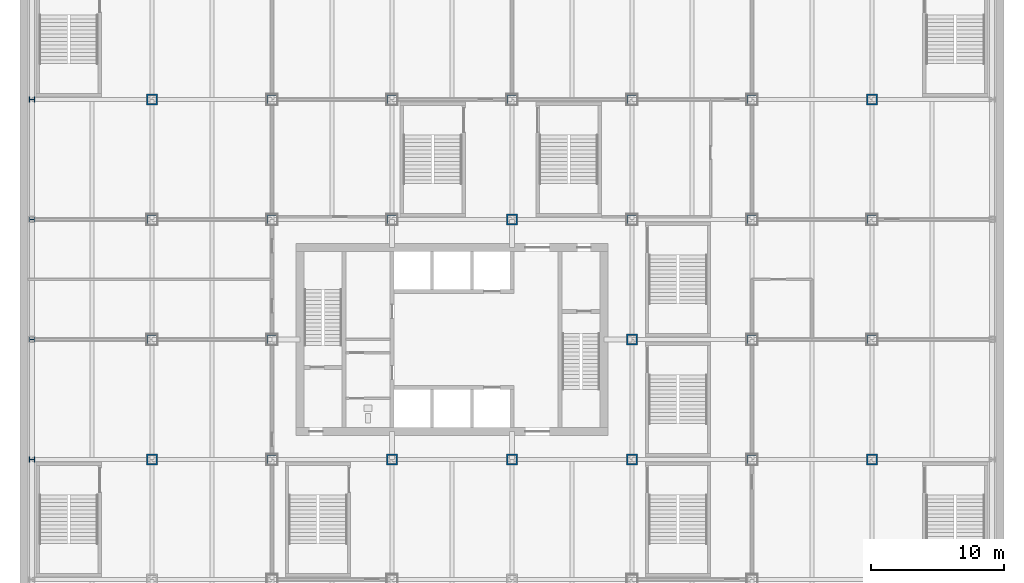
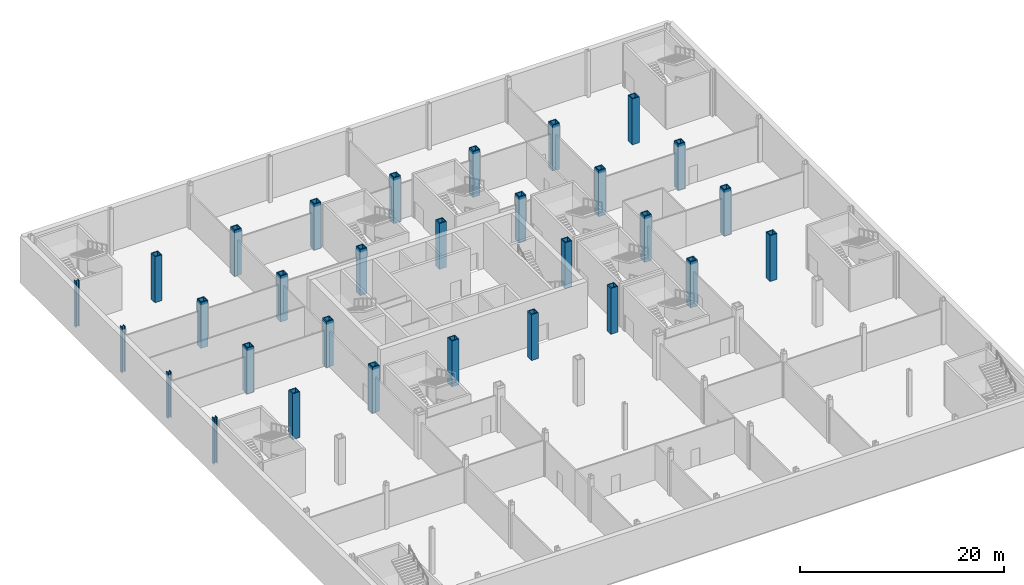
# One storey, part 2 of 27: 30 columns.
"""IFC4 building model written with IfcOpenShell, lengths in metres."""

from ifc_helpers import new_model, si_unit, direction, frame, origin, origin_2d, place, context, subcontext, project, spatial, hollow_rectangle, i_section, extrude, material, material_profile, profile_set, type_object, element, save


model = new_model("IFC4")

# Units and contexts
model_context = context("Model", 3, precision=1e-05, world=origin(), true_north=direction((0.0, 1.0)))
body_context = subcontext(model_context, "Body", "Model", "MODEL_VIEW")
ifc_project = project(units=[si_unit("LENGTHUNIT", "METRE"), si_unit("AREAUNIT", "SQUARE_METRE"), si_unit("VOLUMEUNIT", "CUBIC_METRE"), si_unit("PLANEANGLEUNIT", "RADIAN"), si_unit("MASSUNIT", "GRAM", prefix="KILO")], contexts=[model_context])

# Site, building, storey
site_placement = place(None, origin())
site = spatial("IfcSite", under=ifc_project, at=site_placement, CompositionType="ELEMENT")
building_placement = place(site_placement, origin())
building = spatial("IfcBuilding", under=site, at=building_placement, Name="Loomwork Tower", CompositionType="ELEMENT")
storey_placement = place(building_placement, frame((0.0, 0.0, -5.5)))
storey = spatial("IfcBuildingStorey", under=building, at=storey_placement, Name="B1", CompositionType="ELEMENT", Elevation=-5.5)

# Columns
ifc_material_1 = material(Name="Steel ASTM A572 Grade 50 plate", Category="steel")
ifc_material_profile_1 = material_profile(ifc_material_1, hollow_rectangle(XDim=0.800048828125, YDim=0.800048828125, WallThickness=0.10009765625, at=origin_2d()), Name="BOX800x100")
ifc_profile_set_1 = profile_set([ifc_material_profile_1], Name="Steel ASTM A572 Grade 50 plate")
column_type_1 = type_object("IfcColumnType", Name="EXOSKELETON PIER BOX800x100", PredefinedType="COLUMN", material=ifc_profile_set_1)
for number, where, z_axis, x_axis, name in (
    (1, (0.0, 9.0, 0.0), (0.0, 0.0, 1.0), (0.0, 1.0, 0.0), "Exoskeleton Pier E/2 B1"),
    (2, (0.0, 18.0, 0.0), (0.0, 0.0, 1.0), (0.0, 1.0, 0.0), "Exoskeleton Pier F/2 B1"),
    (3, (0.0, 27.0, 0.0), (0.0, 0.0, 1.0), (0.0, 1.0, 0.0), "Exoskeleton Pier G/2 B1"),
    (4, (0.0, 36.0, 0.0), (0.0, 0.0, 1.0), (1.0, 0.0, 0.0), "Exoskeleton Pier H/2 B1"),
    (5, (9.0, 36.0, 0.0), (0.0, 0.0, 1.0), (1.0, 0.0, 0.0), "Exoskeleton Pier H/3 B1"),
    (6, (18.0, 36.0, 0.0), (0.0, 0.0, 1.0), (1.0, 0.0, 0.0), "Exoskeleton Pier H/4 B1"),
    (7, (27.0, 36.0, 0.0), (0.0, 0.0, 1.0), (1.0, 0.0, 0.0), "Exoskeleton Pier H/5 B1"),
    (8, (36.0, 36.0, 0.0), (0.0, 0.0, 1.0), (1.0, 0.0, 0.0), "Exoskeleton Pier H/6 B1"),
    (9, (45.0, 36.0, 0.0), (0.0, 0.0, 1.0), (1.0, 0.0, 0.0), "Exoskeleton Pier H/7 B1"),
    (10, (54.0, 9.0, 0.0), (0.0, 0.0, 1.0), (0.0, 1.0, 0.0), "Exoskeleton Pier E/8 B1"),
    (11, (54.0, 18.0, 0.0), (0.0, 0.0, 1.0), (0.0, 1.0, 0.0), "Exoskeleton Pier F/8 B1"),
    (12, (54.0, 27.0, 0.0), (0.0, 0.0, 1.0), (0.0, 1.0, 0.0), "Exoskeleton Pier G/8 B1"),
    (13, (54.0, 36.0, 0.0), (0.0, 0.0, 1.0), (1.0, 0.0, 0.0), "Exoskeleton Pier H/8 B1"),
):
    element("IfcColumn", number, at=place(storey_placement, frame(where, z_axis=z_axis, x_axis=x_axis)), inside=storey, type_object=column_type_1, Name=name, PredefinedType="COLUMN", context=body_context, shape_type="SweptSolid", body=[
        extrude(hollow_rectangle(XDim=0.800048828125, YDim=0.800048828125, WallThickness=0.10009765625, at=origin_2d()), origin(), (0.0, 0.0, 1.0), 5.5),
    ])
ifc_material_2 = material(Name="Steel ASTM A992", Category="steel")
ifc_material_profile_2 = material_profile(ifc_material_2, i_section(OverallWidth=0.4013671875, OverallDepth=0.398681640625, WebThickness=0.02490234375, FlangeThickness=0.03955078125, at=origin_2d()), Name="W14x211")
ifc_profile_set_2 = profile_set([ifc_material_profile_2], Name="Steel ASTM A992")
column_type_2 = type_object("IfcColumnType", Name="PODIUM COLUMN W14x211", PredefinedType="COLUMN", material=ifc_profile_set_2)
for number, where, z_axis, x_axis, name in (
    (14, (-9.0, 9.0, 0.0), (0.0, 0.0, 1.0), (0.0, 1.0, 0.0), "Podium Column E/1 B1"),
    (15, (-9.0, 18.0, 0.0), (0.0, 0.0, 1.0), (0.0, 1.0, 0.0), "Podium Column F/1 B1"),
    (16, (-9.0, 27.0, 0.0), (0.0, 0.0, 1.0), (0.0, 1.0, 0.0), "Podium Column G/1 B1"),
    (17, (-9.0, 36.0, 0.0), (0.0, 0.0, 1.0), (0.0, 1.0, 0.0), "Podium Column H/1 B1"),
):
    element("IfcColumn", number, at=place(storey_placement, frame(where, z_axis=z_axis, x_axis=x_axis)), inside=storey, type_object=column_type_2, Name=name, PredefinedType="COLUMN", context=body_context, shape_type="SweptSolid", body=[
        extrude(i_section(OverallWidth=0.4013671875, OverallDepth=0.398681640625, WebThickness=0.02490234375, FlangeThickness=0.03955078125, at=origin_2d()), origin(), (0.0, 0.0, 1.0), 5.5),
    ])
ifc_material_3 = material(Name="Steel ASTM A572 Grade 50 plate", Category="steel")
ifc_material_profile_3 = material_profile(ifc_material_3, hollow_rectangle(XDim=0.800048828125, YDim=0.800048828125, WallThickness=0.10009765625, at=origin_2d()), Name="BOX800x100")
ifc_profile_set_3 = profile_set([ifc_material_profile_3], Name="Steel ASTM A572 Grade 50 plate")
column_type_3 = type_object("IfcColumnType", Name="TOWER COLUMN BOX800x100", PredefinedType="COLUMN", material=ifc_profile_set_3)
for number, where, z_axis, x_axis, name in (
    (18, (9.0, 9.0, 0.0), (0.0, 0.0, 1.0), (1.0, 0.0, 0.0), "Tower Column E/3 B1"),
    (19, (9.0, 18.0, 0.0), (0.0, 0.0, 1.0), (1.0, 0.0, 0.0), "Tower Column F/3 B1"),
    (20, (9.0, 27.0, 0.0), (0.0, 0.0, 1.0), (1.0, 0.0, 0.0), "Tower Column G/3 B1"),
    (21, (18.0, 9.0, 0.0), (0.0, 0.0, 1.0), (1.0, 0.0, 0.0), "Tower Column E/4 B1"),
    (22, (18.0, 27.0, 0.0), (0.0, 0.0, 1.0), (1.0, 0.0, 0.0), "Tower Column G/4 B1"),
    (23, (27.0, 9.0, 0.0), (0.0, 0.0, 1.0), (1.0, 0.0, 0.0), "Tower Column E/5 B1"),
    (24, (27.0, 27.0, 0.0), (0.0, 0.0, 1.0), (1.0, 0.0, 0.0), "Tower Column G/5 B1"),
    (25, (36.0, 9.0, 0.0), (0.0, 0.0, 1.0), (0.0, 1.0, 0.0), "Tower Column E/6 B1"),
    (26, (36.0, 18.0, 0.0), (0.0, 0.0, 1.0), (0.0, 1.0, 0.0), "Tower Column F/6 B1"),
    (27, (36.0, 27.0, 0.0), (0.0, 0.0, 1.0), (1.0, 0.0, 0.0), "Tower Column G/6 B1"),
    (28, (45.0, 9.0, 0.0), (0.0, 0.0, 1.0), (0.0, 1.0, 0.0), "Tower Column E/7 B1"),
    (29, (45.0, 18.0, 0.0), (0.0, 0.0, 1.0), (0.0, 1.0, 0.0), "Tower Column F/7 B1"),
    (30, (45.0, 27.0, 0.0), (0.0, 0.0, 1.0), (0.0, 1.0, 0.0), "Tower Column G/7 B1"),
):
    element("IfcColumn", number, at=place(storey_placement, frame(where, z_axis=z_axis, x_axis=x_axis)), inside=storey, type_object=column_type_3, Name=name, PredefinedType="COLUMN", context=body_context, shape_type="SweptSolid", body=[
        extrude(hollow_rectangle(XDim=0.800048828125, YDim=0.800048828125, WallThickness=0.10009765625, at=origin_2d()), origin(), (0.0, 0.0, 1.0), 5.5),
    ])

save(model, "model.ifc")
